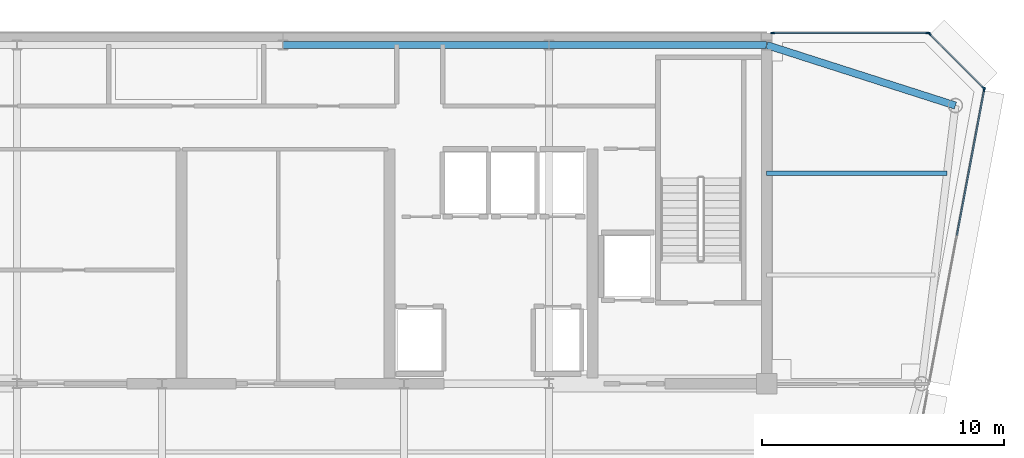
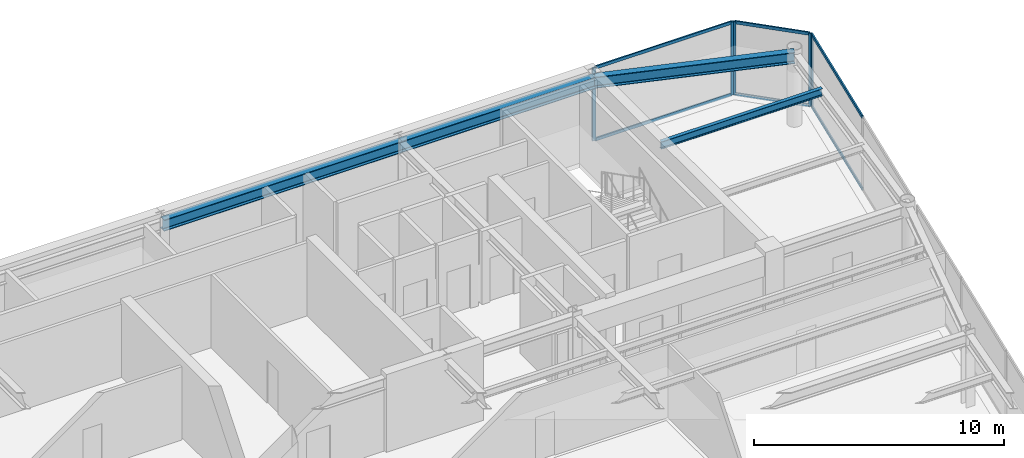
# One storey, part 9 of 19: 11 members, 4 beams, 3 elements without a shape of their own.
"""IFC4 building model written with IfcOpenShell, lengths in metres."""

import ifcopenshell
import ifcopenshell.guid

model = None  # the IFC model being written
_history = None  # IfcOwnerHistory: only IFC2X3 demands one
_inside = {}  # id of a spatial element -> (the spatial element, [elements in it])
_under = {}  # id of a project, library or spatial element -> (it, [spatial elements below it])
_declared = {}  # id of a project -> (the project, [libraries it declares])
_typed = {}  # id of a type object -> (the type object, [elements of that type])
_made_of = {}  # id of a material, layer set ... -> (it, [elements and type objects made of it])


def new_model(schema):
    """Start an empty IFC model of exactly this schema.

    Asked for "IFC4X3", IfcOpenShell would pick the latest addendum, in which some entities
    have other attributes; the version numbers below select the first issue.
    IFC2X3 requires an IfcOwnerHistory on every rooted entity: one is made here for all.
    """
    global model, _history
    if schema == "IFC4X3":
        model = ifcopenshell.file(schema_version=(4, 3, 0, 0))
    else:
        model = ifcopenshell.file(schema=schema)
    _inside.clear()
    _under.clear()
    _declared.clear()
    _typed.clear()
    _made_of.clear()
    _history = None
    if model.schema == "IFC2X3":
        org = make("IfcOrganization", Name="unknown")
        user = make(
            "IfcPersonAndOrganization",
            ThePerson=make("IfcPerson", FamilyName="unknown"),
            TheOrganization=org,
        )
        app = make(
            "IfcApplication",
            ApplicationDeveloper=org,
            Version="unknown",
            ApplicationFullName="unknown",
            ApplicationIdentifier="unknown",
        )
        _history = make(
            "IfcOwnerHistory",
            OwningUser=user,
            OwningApplication=app,
            ChangeAction="ADDED",
            CreationDate=0,
        )
    return model


def make(cls, **values):
    """One entity of the class cls with the attributes given. An attribute that is None is left unset."""
    return model.create_entity(
        cls, **{name: value for name, value in values.items() if value is not None}
    )


def rooted(cls, **values):
    """An entity with a GlobalId (a new one), such as an element, a storey or a relation."""
    return make(cls, GlobalId=ifcopenshell.guid.new(), OwnerHistory=_history, **values)


def si_unit(unit_type, name, prefix=None):
    """IfcSIUnit, for example si_unit("LENGTHUNIT", "METRE", prefix="MILLI")."""
    return make("IfcSIUnit", UnitType=unit_type, Prefix=prefix, Name=name)


def assignment(units):
    """IfcUnitAssignment: the units of a project."""
    return None if units is None else make("IfcUnitAssignment", Units=units)


def point(xyz):
    """IfcCartesianPoint."""
    return None if xyz is None else make("IfcCartesianPoint", Coordinates=xyz)


def direction(xyz):
    """IfcDirection."""
    return None if xyz is None else make("IfcDirection", DirectionRatios=xyz)


def frame(location, z_axis=None, x_axis=None):
    """IfcAxis2Placement3D, a coordinate frame: its origin and axes. An axis left out is left unset."""
    return make(
        "IfcAxis2Placement3D",
        Location=point(location),
        Axis=direction(z_axis),
        RefDirection=direction(x_axis),
    )


def frame_2d(location, x_axis=None):
    """IfcAxis2Placement2D, a coordinate frame in the plane: its origin and x axis."""
    return make(
        "IfcAxis2Placement2D", Location=point(location), RefDirection=direction(x_axis)
    )


def origin():
    """The frame at (0, 0, 0) with its axes left unset."""
    return frame((0.0, 0.0, 0.0))


def origin_2d():
    """The frame at (0, 0) in the plane with its x axis left unset."""
    return frame_2d((0.0, 0.0))


def place(relative_to, where):
    """IfcLocalPlacement: puts the frame where relative to a parent placement (None: the world)."""
    return make(
        "IfcLocalPlacement", PlacementRelTo=relative_to, RelativePlacement=where
    )


def context(
    kind, dimensions, precision=None, world=None, true_north=None, identifier=None
):
    """IfcGeometricRepresentationContext, for example the 3D "Model" context."""
    return make(
        "IfcGeometricRepresentationContext",
        ContextIdentifier=identifier,
        ContextType=kind,
        CoordinateSpaceDimension=dimensions,
        Precision=precision,
        WorldCoordinateSystem=world,
        TrueNorth=true_north,
    )


def subcontext(parent, identifier, kind, view, scale=None):
    """IfcGeometricRepresentationSubContext, for example "Body" below "Model"."""
    return make(
        "IfcGeometricRepresentationSubContext",
        ContextIdentifier=identifier,
        ContextType=kind,
        ParentContext=parent,
        TargetScale=scale,
        TargetView=view,
    )


def project(units=None, contexts=None):
    """IfcProject with its units and contexts."""
    return rooted(
        "IfcProject",
        Name="project",
        RepresentationContexts=contexts,
        UnitsInContext=assignment(units),
    )


def spatial(cls, under=None, at=None, **own):
    """A site, building, storey or space (cls), placed at a placement, below another one or the project."""
    s = rooted(cls, ObjectPlacement=at, **own)
    if under is not None:
        _under.setdefault(under.id(), (under, []))[1].append(s)
    return s


def profile(cls, at=None, kind="AREA", **sizes):
    """A parametric profile (cls). Its sizes go by their IFC names, for example OverallWidth=200.0."""
    return make(cls, ProfileType=kind, Position=at, **sizes)


def rectangle(**sizes):
    """IfcRectangleProfileDef."""
    return profile("IfcRectangleProfileDef", **sizes)


def i_section(**sizes):
    """IfcIShapeProfileDef."""
    return profile("IfcIShapeProfileDef", **sizes)


def extrude(swept, where, along, depth):
    """IfcExtrudedAreaSolid: the profile swept, set in the frame where, extruded along a direction by depth."""
    return make(
        "IfcExtrudedAreaSolid",
        SweptArea=swept,
        Position=where,
        ExtrudedDirection=direction(along),
        Depth=depth,
    )


def shape(context_of_items, identifier, shape_type, items):
    """IfcShapeRepresentation: the items that make up one representation, for example the "Body"."""
    return make(
        "IfcShapeRepresentation",
        ContextOfItems=context_of_items,
        RepresentationIdentifier=identifier,
        RepresentationType=shape_type,
        Items=items,
    )


def source(mapping_origin, context_of_items, identifier, shape_type, items):
    """IfcRepresentationMap: a shape defined once, which mapped items show again and again."""
    return make(
        "IfcRepresentationMap",
        MappingOrigin=mapping_origin,
        MappedRepresentation=shape(context_of_items, identifier, shape_type, items),
    )


def transform(
    local_origin,
    x_axis=None,
    y_axis=None,
    z_axis=None,
    scale=None,
    scale2=None,
    scale3=None,
    uniform=True,
):
    """IfcCartesianTransformationOperator3D, or its non-uniform kind. x_axis, y_axis, z_axis: its Axis1, 2, 3."""
    if uniform:
        return make(
            "IfcCartesianTransformationOperator3D",
            Axis1=direction(x_axis),
            Axis2=direction(y_axis),
            LocalOrigin=point(local_origin),
            Scale=scale,
            Axis3=direction(z_axis),
        )
    return make(
        "IfcCartesianTransformationOperator3DnonUniform",
        Axis1=direction(x_axis),
        Axis2=direction(y_axis),
        LocalOrigin=point(local_origin),
        Scale=scale,
        Axis3=direction(z_axis),
        Scale2=scale2,
        Scale3=scale3,
    )


def mapped(mapping_source, mapping_target):
    """IfcMappedItem: shows the shape of a source again, moved by a transform."""
    return make(
        "IfcMappedItem", MappingSource=mapping_source, MappingTarget=mapping_target
    )


def material(Name=None, Category=None):
    """IfcMaterial."""
    return make("IfcMaterial", Name=Name, Category=Category)


def layer(
    of_material, thickness, ventilated=None, Name=None, Category=None, Priority=None
):
    """IfcMaterialLayer: one layer of a wall or slab, of a material (None: an air gap)."""
    return make(
        "IfcMaterialLayer",
        Material=of_material,
        LayerThickness=thickness,
        IsVentilated=ventilated,
        Name=Name,
        Category=Category,
        Priority=Priority,
    )


def layer_set(layers, Name=None):
    """IfcMaterialLayerSet."""
    return make("IfcMaterialLayerSet", MaterialLayers=layers, LayerSetName=Name)


def material_profile(
    of_material, cross_section, Name=None, Category=None, Priority=None
):
    """IfcMaterialProfile: a cross section and its material."""
    return make(
        "IfcMaterialProfile",
        Name=Name,
        Material=of_material,
        Profile=cross_section,
        Priority=Priority,
        Category=Category,
    )


def profile_set(profiles, Name=None, composite=None):
    """IfcMaterialProfileSet."""
    return make(
        "IfcMaterialProfileSet",
        Name=Name,
        MaterialProfiles=profiles,
        CompositeProfile=composite,
    )


def made_of(thing, what):
    """Note that an element or type object is made of a material, layer set ...; save() writes the relation."""
    if what is not None:
        _made_of.setdefault(what.id(), (what, []))[1].append(thing)
    return thing


def type_object(cls, material=None, **own):
    """A type object (cls), such as IfcWallType, which elements share."""
    return made_of(rooted(cls, **own), material)


def element(
    cls,
    number,
    at=None,
    inside=None,
    cuts=None,
    type_object=None,
    material=None,
    context=None,
    identifier="Body",
    shape_type=None,
    held_by="IfcProductDefinitionShape",
    body=None,
    shapes=None,
    **own,
):
    """One element of the class cls, such as IfcWall. Its Tag is "e" and its number.

    at: its placement. inside: the storey or other place that contains it. cuts: it is an
    opening in that element (IfcRelVoidsElement). A single representation is given by context,
    identifier, shape_type and body (its items); several are given by shapes. held_by: the class
    of the entity that holds the representations. save() writes the other relations.
    """
    e = rooted(cls, Tag="e%d" % number, ObjectPlacement=at, **own)
    if body is not None:
        shapes = [shape(context, identifier, shape_type, body)]
    if shapes is not None:
        e.Representation = make(held_by, Representations=shapes)
    if inside is not None:
        _inside.setdefault(inside.id(), (inside, []))[1].append(e)
    if cuts is not None:
        rooted(
            "IfcRelVoidsElement", RelatingBuildingElement=cuts, RelatedOpeningElement=e
        )
    if type_object is not None:
        _typed.setdefault(type_object.id(), (type_object, []))[1].append(e)
    return made_of(e, material)


def aggregate(whole, parts):
    """IfcRelAggregates: a whole, such as a stair, and the parts it consists of."""
    return rooted("IfcRelAggregates", RelatingObject=whole, RelatedObjects=parts)


def save(model, path):
    """Write the relations noted so far, then the file.

    IfcRelAggregates (storeys below a building ...), IfcRelContainedInSpatialStructure (elements
    in a storey), IfcRelDefinesByType, IfcRelAssociatesMaterial and IfcRelDeclares: one each for
    every whole, place, type object, material and project.
    """
    for whole, parts in _under.values():
        aggregate(whole, parts)
    for where, things in _inside.values():
        rooted(
            "IfcRelContainedInSpatialStructure",
            RelatedElements=things,
            RelatingStructure=where,
        )
    for kind, things in _typed.values():
        rooted("IfcRelDefinesByType", RelatedObjects=things, RelatingType=kind)
    for what, things in _made_of.values():
        rooted("IfcRelAssociatesMaterial", RelatedObjects=things, RelatingMaterial=what)
    for by, libraries in _declared.values():
        rooted("IfcRelDeclares", RelatingContext=by, RelatedDefinitions=libraries)
    model.write(path)


model = new_model("IFC4")

# Units and contexts
model_context = context("Model", 3, precision=1e-05, world=origin(), true_north=direction((0.0, 1.0)))
body_context = subcontext(model_context, "Body", "Model", "MODEL_VIEW")
ifc_project = project(units=[si_unit("LENGTHUNIT", "METRE"), si_unit("AREAUNIT", "SQUARE_METRE"), si_unit("VOLUMEUNIT", "CUBIC_METRE"), si_unit("PLANEANGLEUNIT", "RADIAN"), si_unit("MASSUNIT", "GRAM", prefix="KILO")], contexts=[model_context])

# Site, building, storey
site_placement = place(None, origin())
site = spatial("IfcSite", under=ifc_project, at=site_placement, CompositionType="ELEMENT")
building_placement = place(site_placement, origin())
building = spatial("IfcBuilding", under=site, at=building_placement, Name="Vaeldorn Concourse Tower", CompositionType="ELEMENT")
storey_placement = place(building_placement, frame((0.0, 0.0, 272.60009765625)))
storey = spatial("IfcBuildingStorey", under=building, at=storey_placement, Name="L70", CompositionType="ELEMENT", Elevation=272.60009765625)

# Beams
ifc_material_1 = material(Name="Steel S355", Category="steel")
ifc_material_profile_1 = material_profile(ifc_material_1, i_section(OverallWidth=0.300048828125, OverallDepth=0.550048828125, WebThickness=0.014892578125, FlangeThickness=0.029052734375, FilletRadius=0.027099609375, at=origin_2d()), Name="HEB 550")
ifc_profile_set_1 = profile_set([ifc_material_profile_1], Name="Steel S355")
beam_type_1 = type_object("IfcBeamType", Name="BM-PG-HEB550", PredefinedType="BEAM", material=ifc_profile_set_1)
shared_shape_1 = source(origin(), body_context, "Body", "SweptSolid", [
    extrude(i_section(OverallWidth=0.300048828125, OverallDepth=0.550048828125, WebThickness=0.014892578125, FlangeThickness=0.029052734375, FilletRadius=0.027099609375, at=origin_2d()), origin(), (0.0, 0.0, 1.0), 9.0),
])
beam_1_placement = place(storey_placement, frame((45.0, 50.5, 3.304931640625), z_axis=(1.0, 0.0, 0.0), x_axis=(0.0, 1.0, 0.0)))
element("IfcBeam", 1, at=beam_1_placement, inside=storey, type_object=beam_type_1, Name="Beam BM-L70-C-HC4-C-HC5", PredefinedType="BEAM", context=body_context, shape_type="MappedRepresentation", body=[
    mapped(shared_shape_1, transform((0.0, 0.0, 0.0), scale=1.0)),
])
shared_shape_2 = source(origin(), body_context, "Body", "SweptSolid", [
    extrude(i_section(OverallWidth=0.300048828125, OverallDepth=0.550048828125, WebThickness=0.014892578125, FlangeThickness=0.029052734375, FilletRadius=0.027099609375, at=origin_2d()), origin(), (0.0, 0.0, 1.0), 11.0),
])
beam_2_placement = place(storey_placement, frame((34.0, 50.5, 3.304931640625), z_axis=(1.0, 0.0, 0.0), x_axis=(0.0, 1.0, 0.0)))
element("IfcBeam", 2, at=beam_2_placement, inside=storey, type_object=beam_type_1, Name="Beam BM-L70-C-HC3-C-HC4", PredefinedType="BEAM", context=body_context, shape_type="MappedRepresentation", body=[
    mapped(shared_shape_2, transform((0.0, 0.0, 0.0), scale=1.0)),
])
shared_shape_3 = source(origin(), body_context, "Body", "SweptSolid", [
    extrude(i_section(OverallWidth=0.300048828125, OverallDepth=0.550048828125, WebThickness=0.014892578125, FlangeThickness=0.029052734375, FilletRadius=0.027099609375, at=origin_2d()), origin(), (0.0, 0.0, 1.0), 8.19091796875),
])
beam_3_placement = place(storey_placement, frame((54.0, 50.5, 3.304931640625), z_axis=(0.952282843383, -0.305216949396, 0.0), x_axis=(0.305216949396, 0.952282843383, 0.0)))
element("IfcBeam", 3, at=beam_3_placement, inside=storey, type_object=beam_type_1, Name="Beam BM-L70-C-HC5-C-NE1", PredefinedType="BEAM", context=body_context, shape_type="MappedRepresentation", body=[
    mapped(shared_shape_3, transform((0.0, 0.0, 0.0), scale=1.0)),
])
ifc_material_profile_2 = material_profile(ifc_material_1, i_section(OverallWidth=0.169921875, OverallDepth=0.360107421875, WebThickness=0.008056640625, FlangeThickness=0.0126953125, FilletRadius=0.01806640625, at=origin_2d()), Name="IPE 360")
ifc_profile_set_2 = profile_set([ifc_material_profile_2], Name="Steel S355")
beam_type_2 = type_object("IfcBeamType", Name="BM-JS-IPE360", PredefinedType="JOIST", material=ifc_profile_set_2)
shared_shape_4 = source(origin(), body_context, "Body", "SweptSolid", [
    extrude(i_section(OverallWidth=0.169921875, OverallDepth=0.360107421875, WebThickness=0.008056640625, FlangeThickness=0.0126953125, FilletRadius=0.01806640625, at=origin_2d()), origin(), (0.0, 0.0, 1.0), 7.458984375),
])
beam_4_placement = place(storey_placement, frame((54.0, 45.199951171875, 3.39990234375), z_axis=(1.0, 0.0, 0.0), x_axis=(0.0, 1.0, 0.0)))
element("IfcBeam", 4, at=beam_4_placement, inside=storey, type_object=beam_type_2, Name="Beam JS-L70-NE-452", PredefinedType="JOIST", context=body_context, shape_type="MappedRepresentation", body=[
    mapped(shared_shape_4, transform((0.0, 0.0, 0.0), scale=1.0)),
])

# Curtain wall, member
ifc_material_2 = material(Name="Anodised Bronze Aluminium", Category="aluminium")
ifc_layer = layer(ifc_material_2, 0.179931640625)
ifc_layer_set = layer_set([ifc_layer], Name="Anodised Bronze Aluminium")
curtain_wall_type = type_object("IfcCurtainWallType", Name="CW-SYS-05", PredefinedType="NOTDEFINED", material=ifc_layer_set)
curtain_wall_1_placement = place(storey_placement, origin())
curtain_wall_1 = element("IfcCurtainWall", 5, at=curtain_wall_1_placement, inside=storey, type_object=curtain_wall_type, Name="Unitised Curtain Wall CW-L70-E07-2", PredefinedType="NOTDEFINED")
ifc_material_profile_3 = material_profile(ifc_material_2, rectangle(XDim=0.06494140625, YDim=0.169921875, at=origin_2d()), Name="CWM 65x170")
ifc_profile_set_3 = profile_set([ifc_material_profile_3], Name="Anodised Bronze Aluminium")
member_type_1 = type_object("IfcMemberType", Name="CWM-BRONZE-170", PredefinedType="MULLION", material=ifc_profile_set_3)
shared_shape_5 = source(origin(), body_context, "Body", "SweptSolid", [
    extrude(rectangle(XDim=0.06494140625, YDim=0.169921875, at=origin_2d()), origin(), (0.0, 0.0, 1.0), 3.579833984375),
])
member_1_placement = place(storey_placement, frame((62.993896484375, 48.66796875, 0.0), z_axis=(0.0, 0.0, 1.0), x_axis=(-0.982880218842, 0.184245693053, 0.0)))
member_1 = element("IfcMember", 6, at=member_1_placement, type_object=member_type_1, Name="CW-05 mullion 3", PredefinedType="MULLION", context=body_context, shape_type="MappedRepresentation", body=[
    mapped(shared_shape_5, transform((0.0, 0.0, 0.0), scale=1.0)),
])

# Curtain wall, members
curtain_wall_2_placement = place(storey_placement, origin())
curtain_wall_2 = element("IfcCurtainWall", 7, at=curtain_wall_2_placement, inside=storey, type_object=curtain_wall_type, Name="Unitised Curtain Wall CW-L70-E08-1", PredefinedType="NOTDEFINED")
member_2_placement = place(storey_placement, frame((62.97705078125, 48.722900390625, 0.0), z_axis=(0.0, 0.0, 1.0), x_axis=(-0.707106781187, -0.707106781187, 0.0)))
member_2 = element("IfcMember", 8, at=member_2_placement, type_object=member_type_1, Name="CW-05 mullion 1", PredefinedType="MULLION", context=body_context, shape_type="MappedRepresentation", body=[
    mapped(shared_shape_5, transform((0.0, 0.0, 0.0), scale=1.0)),
])
member_3_placement = place(storey_placement, frame((60.722900390625, 50.97705078125, 0.0), z_axis=(0.0, 0.0, 1.0), x_axis=(-0.707106781187, -0.707106781187, 0.0)))
member_3 = element("IfcMember", 9, at=member_3_placement, type_object=member_type_1, Name="CW-05 mullion 2", PredefinedType="MULLION", context=body_context, shape_type="MappedRepresentation", body=[
    mapped(shared_shape_5, transform((0.0, 0.0, 0.0), scale=1.0)),
])

curtain_wall_3_placement = place(storey_placement, origin())
curtain_wall_3 = element("IfcCurtainWall", 10, at=curtain_wall_3_placement, inside=storey, type_object=curtain_wall_type, Name="Unitised Curtain Wall CW-L70-E09-1", PredefinedType="NOTDEFINED")
member_4_placement = place(storey_placement, frame((60.66748046875, 51.0, 0.0), z_axis=(0.0, 0.0, 1.0), x_axis=(0.0, -1.0, 0.0)))
member_4 = element("IfcMember", 11, at=member_4_placement, type_object=member_type_1, Name="CW-05 mullion 1", PredefinedType="MULLION", context=body_context, shape_type="MappedRepresentation", body=[
    mapped(shared_shape_5, transform((0.0, 0.0, 0.0), scale=1.0)),
])
member_5_placement = place(storey_placement, frame((54.25244140625, 51.0, 0.0), z_axis=(0.0, 0.0, 1.0), x_axis=(0.0, -1.0, 0.0)))
member_5 = element("IfcMember", 12, at=member_5_placement, type_object=member_type_1, Name="CW-05 mullion 2", PredefinedType="MULLION", context=body_context, shape_type="MappedRepresentation", body=[
    mapped(shared_shape_5, transform((0.0, 0.0, 0.0), scale=1.0)),
])

# Member
ifc_material_profile_4 = material_profile(ifc_material_2, rectangle(XDim=0.06494140625, YDim=0.14990234375, at=origin_2d()), Name="CWT 65x150")
ifc_profile_set_4 = profile_set([ifc_material_profile_4], Name="Anodised Bronze Aluminium")
member_type_2 = type_object("IfcMemberType", Name="CWT-BRONZE-150", PredefinedType="USERDEFINED", material=ifc_profile_set_4)
shared_shape_6 = source(origin(), body_context, "Body", "SweptSolid", [
    extrude(rectangle(XDim=0.06494140625, YDim=0.14990234375, at=origin_2d()), origin(), (0.0, 0.0, 1.0), 3.123046875),
])
member_6_placement = place(storey_placement, frame((62.9541015625, 48.745849609375, 0.032470703125), z_axis=(-0.707106781187, 0.707106781187, 0.0), x_axis=(-0.707106781187, -0.707106781187, 0.0)))
member_6 = element("IfcMember", 13, at=member_6_placement, type_object=member_type_2, Name="CW-05 transom 1.1", ObjectType="TRANSOM", PredefinedType="USERDEFINED", context=body_context, shape_type="MappedRepresentation", body=[
    mapped(shared_shape_6, transform((0.0, 0.0, 0.0), scale=1.0)),
])

member_7_placement = place(storey_placement, frame((62.9541015625, 48.745849609375, 3.54736328125), z_axis=(-0.707106781187, 0.707106781187, 0.0), x_axis=(-0.707106781187, -0.707106781187, 0.0)))
member_7 = element("IfcMember", 14, at=member_7_placement, type_object=member_type_2, Name="CW-05 transom 1.2", ObjectType="TRANSOM", PredefinedType="USERDEFINED", context=body_context, shape_type="MappedRepresentation", body=[
    mapped(shared_shape_6, transform((0.0, 0.0, 0.0), scale=1.0)),
])

aggregate(curtain_wall_2, [member_2, member_3, member_6, member_7])

shared_shape_7 = source(origin(), body_context, "Body", "SweptSolid", [
    extrude(rectangle(XDim=0.06494140625, YDim=0.14990234375, at=origin_2d()), origin(), (0.0, 0.0, 1.0), 6.35009765625),
])
member_8_placement = place(storey_placement, frame((60.635009765625, 51.0, 0.032470703125), z_axis=(-1.0, 0.0, 0.0), x_axis=(0.0, -1.0, 0.0)))
member_8 = element("IfcMember", 15, at=member_8_placement, type_object=member_type_2, Name="CW-05 transom 1.1", ObjectType="TRANSOM", PredefinedType="USERDEFINED", context=body_context, shape_type="MappedRepresentation", body=[
    mapped(shared_shape_7, transform((0.0, 0.0, 0.0), scale=1.0)),
])

member_9_placement = place(storey_placement, frame((60.635009765625, 51.0, 3.54736328125), z_axis=(-1.0, 0.0, 0.0), x_axis=(0.0, -1.0, 0.0)))
member_9 = element("IfcMember", 16, at=member_9_placement, type_object=member_type_2, Name="CW-05 transom 1.2", ObjectType="TRANSOM", PredefinedType="USERDEFINED", context=body_context, shape_type="MappedRepresentation", body=[
    mapped(shared_shape_7, transform((0.0, 0.0, 0.0), scale=1.0)),
])

aggregate(curtain_wall_3, [member_4, member_5, member_8, member_9])

shared_shape_8 = source(origin(), body_context, "Body", "SweptSolid", [
    extrude(rectangle(XDim=0.06494140625, YDim=0.14990234375, at=origin_2d()), origin(), (0.0, 0.0, 1.0), 6.103515625),
])
member_10_placement = place(storey_placement, frame((61.863525390625, 42.63720703125, 0.032470703125), z_axis=(0.18424023288, 0.982881242363, 0.0), x_axis=(-0.982881242363, 0.18424023288, 0.0)))
member_10 = element("IfcMember", 17, at=member_10_placement, type_object=member_type_2, Name="CW-05 transom 2.1", ObjectType="TRANSOM", PredefinedType="USERDEFINED", context=body_context, shape_type="MappedRepresentation", body=[
    mapped(shared_shape_8, transform((0.0, 0.0, 0.0), scale=1.0)),
])

member_11_placement = place(storey_placement, frame((61.863525390625, 42.63720703125, 3.54736328125), z_axis=(0.18424023288, 0.982881242363, 0.0), x_axis=(-0.982881242363, 0.18424023288, 0.0)))
member_11 = element("IfcMember", 18, at=member_11_placement, type_object=member_type_2, Name="CW-05 transom 2.2", ObjectType="TRANSOM", PredefinedType="USERDEFINED", context=body_context, shape_type="MappedRepresentation", body=[
    mapped(shared_shape_8, transform((0.0, 0.0, 0.0), scale=1.0)),
])

aggregate(curtain_wall_1, [member_1, member_10, member_11])

save(model, "model.ifc")
